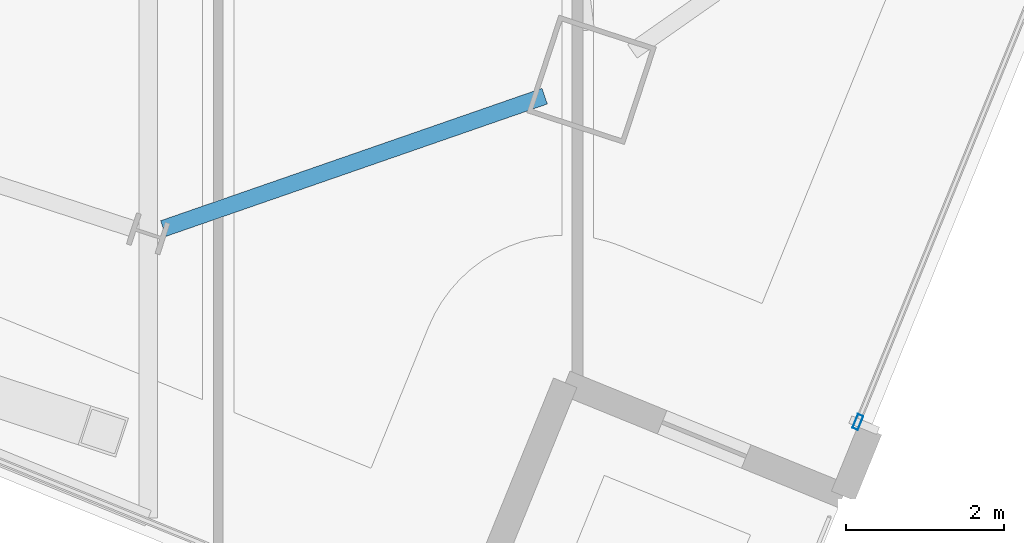
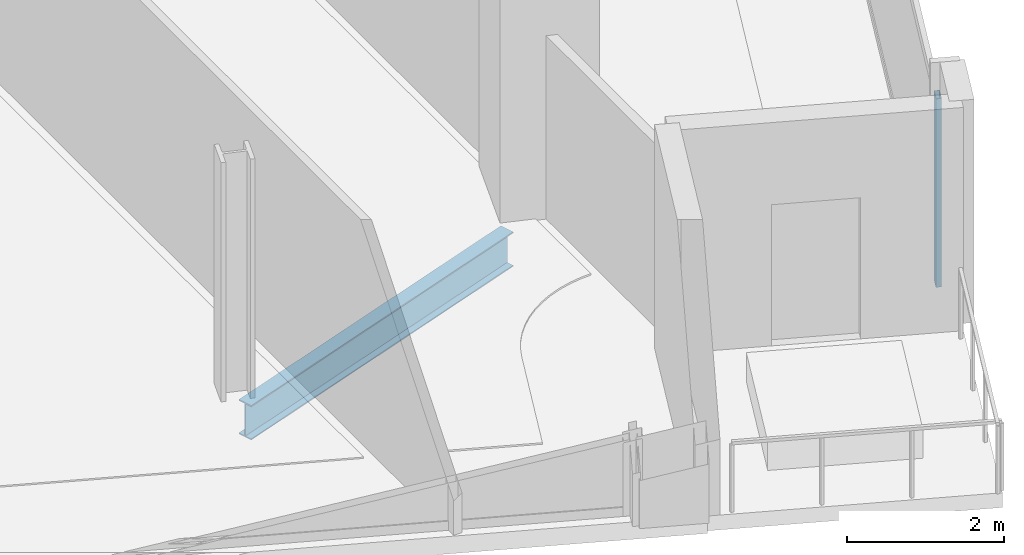
# One storey, part 9 of 31: 1 beam, 1 member, 1 element without a shape of its own.
"""IFC4 building model written with IfcOpenShell, lengths in metres."""

from ifc_helpers import new_model, si_unit, direction, frame, origin, origin_2d, place, context, subcontext, project, spatial, hollow_rectangle, i_section, extrude, material, material_profile, profile_set, type_object, element, aggregate, save


model = new_model("IFC4")

# Units and contexts
model_context = context("Model", 3, precision=1e-05, world=origin(), true_north=direction((0.0, 1.0)))
body_context = subcontext(model_context, "Body", "Model", "MODEL_VIEW")
ifc_project = project(units=[si_unit("LENGTHUNIT", "METRE"), si_unit("AREAUNIT", "SQUARE_METRE"), si_unit("VOLUMEUNIT", "CUBIC_METRE"), si_unit("PLANEANGLEUNIT", "RADIAN"), si_unit("MASSUNIT", "GRAM", prefix="KILO")], contexts=[model_context])

# Site, building, storey
site_placement = place(None, origin())
site = spatial("IfcSite", under=ifc_project, at=site_placement, CompositionType="ELEMENT")
building_placement = place(site_placement, origin())
building = spatial("IfcBuilding", under=site, at=building_placement, Name="Haldenkirk Collegiate Tower", CompositionType="ELEMENT")
storey_placement = place(building_placement, frame((0.0, 0.0, 256.199951171875)))
storey = spatial("IfcBuildingStorey", under=building, at=storey_placement, Name="L64", CompositionType="ELEMENT", Elevation=256.199951171875)

# Beam
ifc_material_1 = material(Name="Steel ASTM A992 Grade 50", Category="steel")
ifc_material_profile_1 = material_profile(ifc_material_1, i_section(OverallWidth=0.2099609375, OverallDepth=0.537109375, WebThickness=0.010986328125, FlangeThickness=0.017333984375, at=origin_2d()), Name="W21X68")
ifc_profile_set_1 = profile_set([ifc_material_profile_1], Name="Steel ASTM A992 Grade 50")
beam_type = type_object("IfcBeamType", Name="BM-SPANDREL-W21X68", PredefinedType="SPANDREL", material=ifc_profile_set_1)
beam_placement = place(storey_placement, frame((41.302490234375, 2.56103515625, -0.538330078125), z_axis=(0.944700169719, 0.327935343221, 0.0), x_axis=(-0.327935343221, 0.944700169719, 0.0)))
element("IfcBeam", 1, at=beam_placement, inside=storey, type_object=beam_type, Name="L64 perimeter spandrel beam 16", PredefinedType="SPANDREL", context=body_context, shape_type="SweptSolid", body=[
    extrude(i_section(OverallWidth=0.2099609375, OverallDepth=0.537109375, WebThickness=0.010986328125, FlangeThickness=0.017333984375, at=origin_2d()), origin(), (0.0, 0.0, 1.0), 5.113037109375),
])

# Curtain wall, member
ifc_material_2 = material(Name="Anodised architectural bronze aluminium", Category="aluminium")
curtain_wall_type = type_object("IfcCurtainWallType", Name="CW-SYS2-CONCAVE", PredefinedType="USERDEFINED", material=ifc_material_2)
curtain_wall_placement = place(storey_placement, origin())
curtain_wall = element("IfcCurtainWall", 2, at=curtain_wall_placement, inside=storey, type_object=curtain_wall_type, Name="L64 South concave recessed bronze-anodised curtain wall", ObjectType="UNITISED CURTAIN WALL", PredefinedType="USERDEFINED")
ifc_material_profile_2 = material_profile(ifc_material_2, hollow_rectangle(XDim=0.074951171875, YDim=0.18994140625, WallThickness=0.0048828125, at=origin_2d()), Name="CW-MUL-02")
ifc_profile_set_2 = profile_set([ifc_material_profile_2], Name="Anodised architectural bronze aluminium")
member_type = type_object("IfcMemberType", Name="CW-MUL-02", PredefinedType="MULLION", material=ifc_profile_set_2)
member_placement = place(storey_placement, frame((50.099609375, 0.11083984375, 0.0), z_axis=(0.0, 0.0, 1.0), x_axis=(0.926200245722, -0.377031967908, 0.0)))
member = element("IfcMember", 3, at=member_placement, type_object=member_type, Name="CW-02 mullion 5", PredefinedType="MULLION", context=body_context, shape_type="SweptSolid", body=[
    extrude(hollow_rectangle(XDim=0.074951171875, YDim=0.18994140625, WallThickness=0.0048828125, at=origin_2d()), origin(), (0.0, 0.0, 1.0), 2.93798828125),
])
aggregate(curtain_wall, [member])

save(model, "model.ifc")
